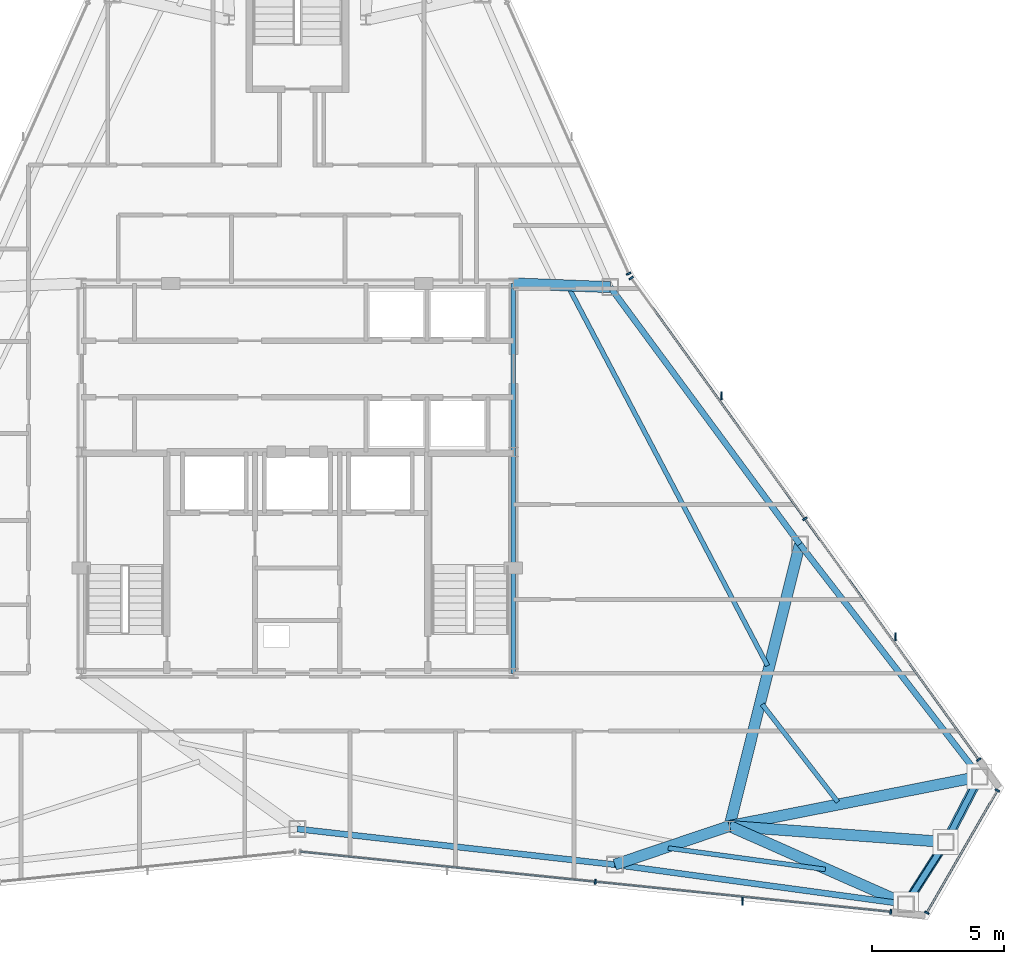
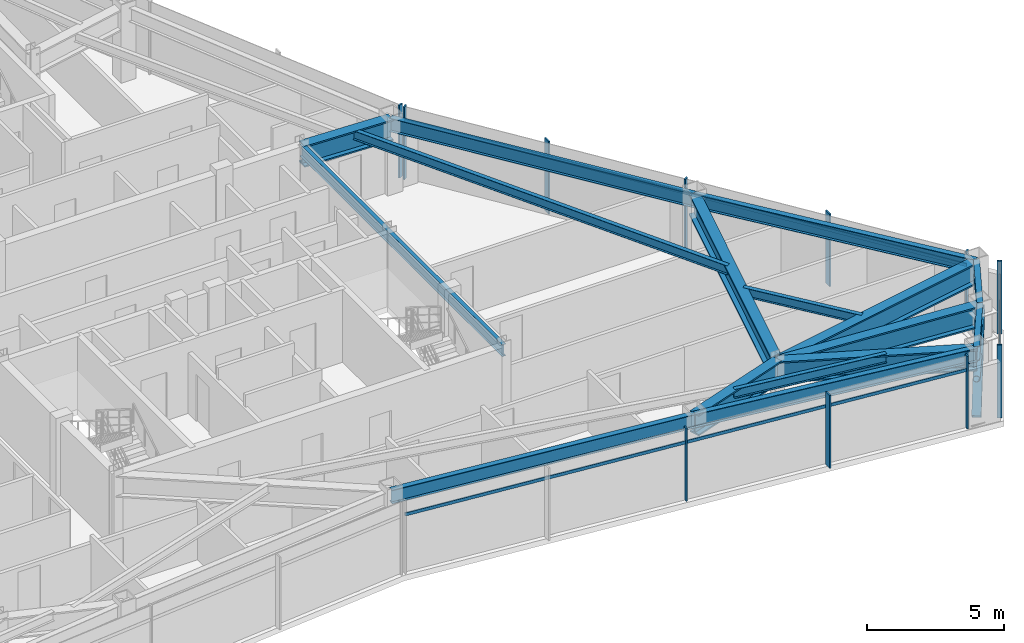
# One storey, part 6 of 12: 17 members, 16 beams, 4 elements without a shape of their own.
"""IFC4 building model written with IfcOpenShell, lengths in metres."""

from ifc_helpers import new_model, si_unit, direction, frame, origin, origin_2d, place, context, subcontext, project, spatial, rectangle, hollow_rectangle, hollow_circle, i_section, extrude, source, transform, mapped, material, layer, layer_set, material_profile, profile_set, type_object, type_shapes, element, aggregate, save


model = new_model("IFC4")

# Units and contexts
model_context = context("Model", 3, precision=1e-05, world=origin(), true_north=direction((0.0, 1.0)))
body_context = subcontext(model_context, "Body", "Model", "MODEL_VIEW")
ifc_project = project(units=[si_unit("LENGTHUNIT", "METRE"), si_unit("AREAUNIT", "SQUARE_METRE"), si_unit("VOLUMEUNIT", "CUBIC_METRE"), si_unit("PLANEANGLEUNIT", "RADIAN"), si_unit("MASSUNIT", "GRAM", prefix="KILO")], contexts=[model_context])

# Site, building, storey
site_placement = place(None, origin())
site = spatial("IfcSite", under=ifc_project, at=site_placement, CompositionType="ELEMENT")
building_placement = place(site_placement, origin())
building = spatial("IfcBuilding", under=site, at=building_placement, Name="Varakhsha Concourse Tower", CompositionType="ELEMENT")
storey_placement = place(building_placement, frame((0.0, 0.0, 255.0)))
storey = spatial("IfcBuildingStorey", under=building, at=storey_placement, Name="L72", CompositionType="ELEMENT", Elevation=255.0)

# Beams
ifc_material_1 = material(Name="Structural Steel ASTM A992 Grade 50", Category="steel")
ifc_material_profile_1 = material_profile(ifc_material_1, i_section(OverallWidth=0.177978515625, OverallDepth=0.406982421875, WebThickness=0.008056640625, FlangeThickness=0.012939453125, at=origin_2d()), Name="W16X40")
ifc_profile_set_1 = profile_set([ifc_material_profile_1], Name="Structural Steel ASTM A992 Grade 50")
beam_type_1 = type_object("IfcBeamType", Name="BM-JST-W16X40", PredefinedType="JOIST", material=ifc_profile_set_1)
beam_1_placement = place(storey_placement, frame((54.072998046875, 9.76416015625, 3.04638671875), z_axis=(0.990864658208, -0.134860035274, 0.0), x_axis=(0.134860035274, 0.990864658208, 0.0)))
element("IfcBeam", 1, at=beam_1_placement, inside=storey, type_object=beam_type_1, Name="BM-TJST-L72-12", PredefinedType="JOIST", context=body_context, shape_type="SweptSolid", body=[
    extrude(i_section(OverallWidth=0.177978515625, OverallDepth=0.406982421875, WebThickness=0.008056640625, FlangeThickness=0.012939453125, at=origin_2d()), origin(), (0.0, 0.0, 1.0), 6.024658203125),
])
beam_2_placement = place(storey_placement, frame((60.5126953125, 11.51416015625, 3.04638671875), z_axis=(-0.612247787834, 0.79066595114, 0.0), x_axis=(-0.79066595114, -0.612247787834, 0.0)))
element("IfcBeam", 2, at=beam_2_placement, inside=storey, type_object=beam_type_1, Name="BM-TJST-L72-15", PredefinedType="JOIST", context=body_context, shape_type="SweptSolid", body=[
    extrude(i_section(OverallWidth=0.177978515625, OverallDepth=0.406982421875, WebThickness=0.008056640625, FlangeThickness=0.012939453125, at=origin_2d()), origin(), (0.0, 0.0, 1.0), 4.6865234375),
])
beam_3_placement = place(storey_placement, frame((57.845703125, 16.687744140625, 3.04638671875), z_axis=(-0.465391617433, 0.88510487651, 0.0), x_axis=(-0.88510487651, -0.465391617433, 0.0)))
element("IfcBeam", 3, at=beam_3_placement, inside=storey, type_object=beam_type_1, Name="BM-TJST-L72-16", PredefinedType="JOIST", context=body_context, shape_type="SweptSolid", body=[
    extrude(i_section(OverallWidth=0.177978515625, OverallDepth=0.406982421875, WebThickness=0.008056640625, FlangeThickness=0.012939453125, at=origin_2d()), origin(), (0.0, 0.0, 1.0), 16.194580078125),
])
ifc_material_profile_2 = material_profile(ifc_material_1, i_section(OverallWidth=0.423095703125, OverallDepth=0.947998046875, WebThickness=0.0380859375, FlangeThickness=0.06396484375, at=origin_2d()), Name="W36X302")
ifc_profile_set_2 = profile_set([ifc_material_profile_2], Name="Structural Steel ASTM A992 Grade 50")
beam_type_2 = type_object("IfcBeamType", Name="BM-OUTR-W36X302", PredefinedType="USERDEFINED", material=ifc_profile_set_2)
beam_4_placement = place(storey_placement, frame((56.39990234375, 10.60009765625, 2.77587890625), z_axis=(-0.947603418082, -0.319449154075, 0.0), x_axis=(0.319449154075, -0.947603418082, 0.0)))
element("IfcBeam", 4, at=beam_4_placement, inside=storey, type_object=beam_type_2, Name="L72 Radial Floor Girder 12", ObjectType="GIRDER", PredefinedType="USERDEFINED", context=body_context, shape_type="SweptSolid", body=[
    extrude(i_section(OverallWidth=0.423095703125, OverallDepth=0.947998046875, WebThickness=0.0380859375, FlangeThickness=0.06396484375, at=origin_2d()), origin(), (0.0, 0.0, 1.0), 4.590087890625),
])
beam_5_placement = place(storey_placement, frame((56.39990234375, 10.60009765625, 2.77587890625), z_axis=(0.914187563748, -0.405291374556, 0.0), x_axis=(0.405291374556, 0.914187563748, 0.0)))
element("IfcBeam", 5, at=beam_5_placement, inside=storey, type_object=beam_type_2, Name="L72 Radial Floor Girder 13", ObjectType="GIRDER", PredefinedType="USERDEFINED", context=body_context, shape_type="SweptSolid", body=[
    extrude(i_section(OverallWidth=0.423095703125, OverallDepth=0.947998046875, WebThickness=0.0380859375, FlangeThickness=0.06396484375, at=origin_2d()), origin(), (0.0, 0.0, 1.0), 7.32861328125),
])
beam_6_placement = place(storey_placement, frame((56.39990234375, 10.60009765625, 2.77587890625), z_axis=(0.997263302263, -0.073931765569, 0.0), x_axis=(0.073931765569, 0.997263302263, 0.0)))
element("IfcBeam", 6, at=beam_6_placement, inside=storey, type_object=beam_type_2, Name="L72 Radial Floor Girder 14", ObjectType="GIRDER", PredefinedType="USERDEFINED", context=body_context, shape_type="SweptSolid", body=[
    extrude(i_section(OverallWidth=0.423095703125, OverallDepth=0.947998046875, WebThickness=0.0380859375, FlangeThickness=0.06396484375, at=origin_2d()), origin(), (0.0, 0.0, 1.0), 8.232421875),
])
beam_7_placement = place(storey_placement, frame((56.39990234375, 10.60009765625, 2.77587890625), z_axis=(0.980978125566, 0.194118307125, 0.0), x_axis=(-0.194118307125, 0.980978125566, 0.0)))
element("IfcBeam", 7, at=beam_7_placement, inside=storey, type_object=beam_type_2, Name="L72 Radial Floor Girder 15", ObjectType="GIRDER", PredefinedType="USERDEFINED", context=body_context, shape_type="SweptSolid", body=[
    extrude(i_section(OverallWidth=0.423095703125, OverallDepth=0.947998046875, WebThickness=0.0380859375, FlangeThickness=0.06396484375, at=origin_2d()), origin(), (0.0, 0.0, 1.0), 9.684326171875),
])
beam_8_placement = place(storey_placement, frame((56.39990234375, 10.60009765625, 2.77587890625), z_axis=(0.242410585861, 0.970173751378, 0.0), x_axis=(-0.970173751378, 0.242410585861, 0.0)))
element("IfcBeam", 8, at=beam_8_placement, inside=storey, type_object=beam_type_2, Name="L72 Radial Floor Girder 16", ObjectType="GIRDER", PredefinedType="USERDEFINED", context=body_context, shape_type="SweptSolid", body=[
    extrude(i_section(OverallWidth=0.423095703125, OverallDepth=0.947998046875, WebThickness=0.0380859375, FlangeThickness=0.06396484375, at=origin_2d()), origin(), (0.0, 0.0, 1.0), 11.026123046875),
])
beam_9_placement = place(storey_placement, frame((48.199951171875, 31.199951171875, 2.77587890625), z_axis=(0.999229859365, -0.039238860258, 0.0), x_axis=(0.039238860258, 0.999229859365, 0.0)))
element("IfcBeam", 9, at=beam_9_placement, inside=storey, type_object=beam_type_2, Name="L72 Radial Floor Girder 17", ObjectType="GIRDER", PredefinedType="USERDEFINED", context=body_context, shape_type="SweptSolid", body=[
    extrude(i_section(OverallWidth=0.423095703125, OverallDepth=0.947998046875, WebThickness=0.0380859375, FlangeThickness=0.06396484375, at=origin_2d()), origin(), (0.0, 0.0, 1.0), 3.67724609375),
])
ifc_material_profile_3 = material_profile(ifc_material_1, i_section(OverallWidth=0.1669921875, OverallDepth=0.534912109375, WebThickness=0.010009765625, FlangeThickness=0.01708984375, at=origin_2d()), Name="W21X57")
ifc_profile_set_3 = profile_set([ifc_material_profile_3], Name="Structural Steel ASTM A992 Grade 50")
beam_type_3 = type_object("IfcBeamType", Name="BM-RAD-W21X57", PredefinedType="BEAM", material=ifc_profile_set_3)
beam_10_placement = place(storey_placement, frame((48.199951171875, 16.39990234375, 2.982421875), z_axis=(0.0, 1.0, 0.0), x_axis=(-1.0, 0.0, 0.0)))
element("IfcBeam", 10, at=beam_10_placement, inside=storey, type_object=beam_type_3, Name="BM-TCORE-L72-CE", PredefinedType="BEAM", context=body_context, shape_type="SweptSolid", body=[
    extrude(i_section(OverallWidth=0.1669921875, OverallDepth=0.534912109375, WebThickness=0.010009765625, FlangeThickness=0.01708984375, at=origin_2d()), origin(), (0.0, 0.0, 1.0), 14.800048828125),
])
ifc_material_profile_4 = material_profile(ifc_material_1, i_section(OverallWidth=0.22900390625, OverallDepth=0.612060546875, WebThickness=0.011962890625, FlangeThickness=0.02001953125, at=origin_2d()), Name="W24X84")
ifc_profile_set_4 = profile_set([ifc_material_profile_4], Name="Structural Steel ASTM A992 Grade 50")
beam_type_4 = type_object("IfcBeamType", Name="BM-SPAN-W24X84", PredefinedType="SPANDREL", material=ifc_profile_set_4)
beam_11_placement = place(storey_placement, frame((40.0, 10.48876953125, 2.944091796875), z_axis=(0.993737521425, -0.11173960136, 0.0), x_axis=(0.11173960136, 0.993737521425, 0.0)))
element("IfcBeam", 11, at=beam_11_placement, inside=storey, type_object=beam_type_4, Name="BM-SPAN-L72-11", PredefinedType="SPANDREL", context=body_context, shape_type="SweptSolid", body=[
    extrude(i_section(OverallWidth=0.22900390625, OverallDepth=0.612060546875, WebThickness=0.011962890625, FlangeThickness=0.02001953125, at=origin_2d()), origin(), (0.0, 0.0, 1.0), 12.126220703125),
])
beam_12_placement = place(storey_placement, frame((52.05029296875, 9.1337890625, 2.944091796875), z_axis=(0.990863976686, -0.134865042565, 0.0), x_axis=(0.134865042565, 0.990863976686, 0.0)))
element("IfcBeam", 12, at=beam_12_placement, inside=storey, type_object=beam_type_4, Name="BM-SPAN-L72-12", PredefinedType="SPANDREL", context=body_context, shape_type="SweptSolid", body=[
    extrude(i_section(OverallWidth=0.22900390625, OverallDepth=0.612060546875, WebThickness=0.011962890625, FlangeThickness=0.02001953125, at=origin_2d()), origin(), (0.0, 0.0, 1.0), 11.151123046875),
])
beam_13_placement = place(storey_placement, frame((63.099609375, 7.6298828125, 2.944091796875), z_axis=(0.538762033455, 0.842457993794, 0.0), x_axis=(-0.842457993794, 0.538762033455, 0.0)))
element("IfcBeam", 13, at=beam_13_placement, inside=storey, type_object=beam_type_4, Name="BM-SPAN-L72-13", PredefinedType="SPANDREL", context=body_context, shape_type="SweptSolid", body=[
    extrude(i_section(OverallWidth=0.22900390625, OverallDepth=0.612060546875, WebThickness=0.011962890625, FlangeThickness=0.02001953125, at=origin_2d()), origin(), (0.0, 0.0, 1.0), 2.80322265625),
])
beam_14_placement = place(storey_placement, frame((64.60986328125, 9.991455078125, 2.944091796875), z_axis=(0.460230722474, 0.887799347877, 0.0), x_axis=(-0.887799347877, 0.460230722474, 0.0)))
element("IfcBeam", 14, at=beam_14_placement, inside=storey, type_object=beam_type_4, Name="BM-SPAN-L72-14", PredefinedType="SPANDREL", context=body_context, shape_type="SweptSolid", body=[
    extrude(i_section(OverallWidth=0.22900390625, OverallDepth=0.612060546875, WebThickness=0.011962890625, FlangeThickness=0.02001953125, at=origin_2d()), origin(), (0.0, 0.0, 1.0), 2.802978515625),
])
beam_15_placement = place(storey_placement, frame((65.89990234375, 12.47998046875, 2.944091796875), z_axis=(-0.612217348488, 0.790689520741, 0.0), x_axis=(-0.790689520741, -0.612217348488, 0.0)))
element("IfcBeam", 15, at=beam_15_placement, inside=storey, type_object=beam_type_4, Name="BM-SPAN-L72-15", PredefinedType="SPANDREL", context=body_context, shape_type="SweptSolid", body=[
    extrude(i_section(OverallWidth=0.22900390625, OverallDepth=0.612060546875, WebThickness=0.011962890625, FlangeThickness=0.02001953125, at=origin_2d()), origin(), (0.0, 0.0, 1.0), 11.151611328125),
])
beam_16_placement = place(storey_placement, frame((59.07275390625, 21.29736328125, 2.944091796875), z_axis=(-0.593635055484, 0.804734379097, 0.0), x_axis=(-0.804734379097, -0.593635055484, 0.0)))
element("IfcBeam", 16, at=beam_16_placement, inside=storey, type_object=beam_type_4, Name="BM-SPAN-L72-16", PredefinedType="SPANDREL", context=body_context, shape_type="SweptSolid", body=[
    extrude(i_section(OverallWidth=0.22900390625, OverallDepth=0.612060546875, WebThickness=0.011962890625, FlangeThickness=0.02001953125, at=origin_2d()), origin(), (0.0, 0.0, 1.0), 12.126220703125),
])

# Members
ifc_material_2 = material(Name="Structural Steel ASTM A500 Grade C", Category="steel")
ifc_material_profile_5 = material_profile(ifc_material_2, hollow_rectangle(XDim=0.35009765625, YDim=0.35009765625, WallThickness=0.01611328125, at=origin_2d()), Name="HSS 350x350x16")
ifc_profile_set_5 = profile_set([ifc_material_profile_5], Name="Structural Steel ASTM A500 Grade C")
member_type_1 = type_object("IfcMemberType", Name="MB-TUBE-HSS350", PredefinedType="BRACE", material=ifc_profile_set_5)
shared_shape_1 = source(origin(), body_context, "Body", "SweptSolid", [
    extrude(hollow_rectangle(XDim=0.35009765625, YDim=0.35009765625, WallThickness=0.01611328125, at=origin_2d()), origin(), (0.0, 0.0, 1.0), 3.983154296875),
])
type_shapes(member_type_1, [shared_shape_1])
for number, where, z_axis, x_axis, name in (
    (17, (63.099609375, 7.6298828125, 0.1201171875), (0.37915630707, 0.592883763061, 0.710443057752), (-0.842457993794, 0.538762033455, 0.0), "L72 Wind-Corner Tube Brace B05"),
    (18, (65.89990234375, 12.47998046875, 0.1201171875), (-0.323879843478, -0.624774270359, 0.710463903436), (0.887799347877, -0.460230722474, 0.0), "L72 Wind-Corner Tube Brace B06"),
):
    element("IfcMember", number, at=place(storey_placement, frame(where, z_axis=z_axis, x_axis=x_axis)), inside=storey, type_object=member_type_1, Name=name, PredefinedType="BRACE", context=body_context, shape_type="MappedRepresentation", body=[
        mapped(shared_shape_1, transform((0.0, 0.0, 0.0), scale=1.0)),
    ])
ifc_material_profile_6 = material_profile(ifc_material_2, hollow_circle(Radius=0.136474609375, WallThickness=0.011962890625, at=origin_2d()), Name="CHS 273x12")
ifc_profile_set_6 = profile_set([ifc_material_profile_6], Name="Structural Steel ASTM A500 Grade C")
member_type_2 = type_object("IfcMemberType", Name="MB-WIND-CHS273", PredefinedType="COLLAR", material=ifc_profile_set_6)
shared_shape_2 = source(origin(), body_context, "Body", "SweptSolid", [
    extrude(hollow_circle(Radius=0.136474609375, WallThickness=0.011962890625, at=origin_2d()), origin(), (0.0, 0.0, 1.0), 2.80322265625),
])
type_shapes(member_type_2, [shared_shape_2])
member_1_placement = place(storey_placement, frame((63.099609375, 7.6298828125, 1.800048828125), z_axis=(0.538762033455, 0.842457993794, 0.0), x_axis=(-0.842457993794, 0.538762033455, 0.0)))
element("IfcMember", 19, at=member_1_placement, inside=storey, type_object=member_type_2, Name="L72 Wind-Corner Collar Tie 3", PredefinedType="COLLAR", context=body_context, shape_type="MappedRepresentation", body=[
    mapped(shared_shape_2, transform((0.0, 0.0, 0.0), scale=1.0)),
])

# Curtain wall, members
ifc_material_3 = material(Name="Anodised Bronze Architectural Aluminium AA 6063-T6", Category="aluminium")
ifc_layer = layer(ifc_material_3, 0.199951171875, Name="CW-SYS-05")
ifc_layer_set = layer_set([ifc_layer], Name="Anodised Bronze Architectural Aluminium AA 6063-T6")
curtain_wall_type = type_object("IfcCurtainWallType", Name="CW-SYS-05", PredefinedType="NOTDEFINED", material=ifc_layer_set)
curtain_wall_1_placement = place(storey_placement, origin())
curtain_wall_1 = element("IfcCurtainWall", 20, at=curtain_wall_1_placement, inside=storey, type_object=curtain_wall_type, Name="L72 Crystal Curtain Wall F6", PredefinedType="NOTDEFINED")
ifc_material_profile_7 = material_profile(ifc_material_3, rectangle(XDim=0.06494140625, YDim=0.179931640625, at=origin_2d()), Name="CWM-180X65")
ifc_profile_set_7 = profile_set([ifc_material_profile_7], Name="Anodised Bronze Architectural Aluminium AA 6063-T6")
member_type_3 = type_object("IfcMemberType", Name="CWM-180X65", PredefinedType="MULLION", material=ifc_profile_set_7)
shared_shape_3 = source(origin(), body_context, "Body", "SweptSolid", [
    extrude(rectangle(XDim=0.06494140625, YDim=0.179931640625, at=origin_2d()), origin(), (0.0, 0.0, 1.0), 3.25),
])
type_shapes(member_type_3, [shared_shape_3])
member_2_placement = place(storey_placement, frame((62.525390625, 7.343017578125, 0.0), z_axis=(0.0, 0.0, 1.0), x_axis=(-0.994852272933, 0.101335852689, 0.0)))
member_2 = element("IfcMember", 21, at=member_2_placement, type_object=member_type_3, Name="CW-L72-F6 Mullion 00", PredefinedType="MULLION", context=body_context, shape_type="MappedRepresentation", body=[
    mapped(shared_shape_3, transform((0.0, 0.0, 0.0), scale=1.0)),
])
member_3_placement = place(storey_placement, frame((51.310546875, 8.485595703125, 0.0), z_axis=(0.0, 0.0, 1.0), x_axis=(-0.994852272933, 0.101335852689, 0.0)))
member_3 = element("IfcMember", 22, at=member_3_placement, type_object=member_type_3, Name="CW-L72-F6 Mullion 01", PredefinedType="MULLION", context=body_context, shape_type="MappedRepresentation", body=[
    mapped(shared_shape_3, transform((0.0, 0.0, 0.0), scale=1.0)),
])

curtain_wall_2_placement = place(storey_placement, origin())
curtain_wall_2 = element("IfcCurtainWall", 23, at=curtain_wall_2_placement, inside=storey, type_object=curtain_wall_type, Name="L72 Chamfer Curtain Wall F7", PredefinedType="NOTDEFINED")
member_4_placement = place(storey_placement, frame((66.573486328125, 11.952392578125, 0.0), z_axis=(0.0, 0.0, 1.0), x_axis=(-0.5, -0.866025403784, 0.0)))
member_4 = element("IfcMember", 24, at=member_4_placement, type_object=member_type_3, Name="CW-L72-F7 Mullion 00", PredefinedType="MULLION", context=body_context, shape_type="MappedRepresentation", body=[
    mapped(shared_shape_3, transform((0.0, 0.0, 0.0), scale=1.0)),
])
member_5_placement = place(storey_placement, frame((63.893310546875, 7.310546875, 0.0), z_axis=(0.0, 0.0, 1.0), x_axis=(-0.5, -0.866025403784, 0.0)))
member_5 = element("IfcMember", 25, at=member_5_placement, type_object=member_type_3, Name="CW-L72-F7 Mullion 01", PredefinedType="MULLION", context=body_context, shape_type="MappedRepresentation", body=[
    mapped(shared_shape_3, transform((0.0, 0.0, 0.0), scale=1.0)),
])

curtain_wall_3_placement = place(storey_placement, origin())
curtain_wall_3 = element("IfcCurtainWall", 26, at=curtain_wall_3_placement, inside=storey, type_object=curtain_wall_type, Name="L72 Crystal Curtain Wall F8", PredefinedType="NOTDEFINED")
member_6_placement = place(storey_placement, frame((52.667724609375, 31.403076171875, 0.0), z_axis=(0.0, 0.0, 1.0), x_axis=(0.585188389778, -0.81089737234, 0.0)))
member_6 = element("IfcMember", 27, at=member_6_placement, type_object=member_type_3, Name="CW-L72-F8 Mullion 00", PredefinedType="MULLION", context=body_context, shape_type="MappedRepresentation", body=[
    mapped(shared_shape_3, transform((0.0, 0.0, 0.0), scale=1.0)),
])
member_7_placement = place(storey_placement, frame((59.2646484375, 22.261962890625, 0.0), z_axis=(0.0, 0.0, 1.0), x_axis=(0.585188389778, -0.81089737234, 0.0)))
member_7 = element("IfcMember", 28, at=member_7_placement, type_object=member_type_3, Name="CW-L72-F8 Mullion 01", PredefinedType="MULLION", context=body_context, shape_type="MappedRepresentation", body=[
    mapped(shared_shape_3, transform((0.0, 0.0, 0.0), scale=1.0)),
])
member_8_placement = place(storey_placement, frame((65.861328125, 13.120849609375, 0.0), z_axis=(0.0, 0.0, 1.0), x_axis=(0.585188389778, -0.81089737234, 0.0)))
member_8 = element("IfcMember", 29, at=member_8_placement, type_object=member_type_3, Name="CW-L72-F8 Mullion 02", PredefinedType="MULLION", context=body_context, shape_type="MappedRepresentation", body=[
    mapped(shared_shape_3, transform((0.0, 0.0, 0.0), scale=1.0)),
])

# Curtain wall, member
curtain_wall_4_placement = place(storey_placement, origin())
curtain_wall_4 = element("IfcCurtainWall", 30, at=curtain_wall_4_placement, inside=storey, type_object=curtain_wall_type, Name="L72 Crystal Curtain Wall F9", PredefinedType="NOTDEFINED")
member_9_placement = place(storey_placement, frame((52.572021484375, 31.569091796875, 0.0), z_axis=(0.0, 0.0, 1.0), x_axis=(0.409661937266, -0.912237412714, 0.0)))
member_9 = element("IfcMember", 31, at=member_9_placement, type_object=member_type_3, Name="CW-L72-F9 Mullion 02", PredefinedType="MULLION", context=body_context, shape_type="MappedRepresentation", body=[
    mapped(shared_shape_3, transform((0.0, 0.0, 0.0), scale=1.0)),
])
aggregate(curtain_wall_4, [member_9])

# Member
ifc_material_profile_8 = material_profile(ifc_material_3, rectangle(XDim=0.054931640625, YDim=0.300048828125, at=origin_2d()), Name="FIN-BRZ-300")
ifc_profile_set_8 = profile_set([ifc_material_profile_8], Name="Anodised Bronze Architectural Aluminium AA 6063-T6")
member_type_4 = type_object("IfcMemberType", Name="FIN-BRZ-300", PredefinedType="USERDEFINED", material=ifc_profile_set_8)
shared_shape_4 = source(origin(), body_context, "Body", "SweptSolid", [
    extrude(rectangle(XDim=0.054931640625, YDim=0.300048828125, at=origin_2d()), origin(), (0.0, 0.0, 1.0), 3.25),
])
type_shapes(member_type_4, [shared_shape_4])
member_10_placement = place(storey_placement, frame((56.9013671875, 7.75, 0.0), z_axis=(0.0, 0.0, 1.0), x_axis=(1.0, 0.0, 0.0)))
member_10 = element("IfcMember", 32, at=member_10_placement, type_object=member_type_4, Name="L72 Anodised Bronze Solar Fin F6-1", ObjectType="SOLAR FIN", PredefinedType="USERDEFINED", context=body_context, shape_type="MappedRepresentation", body=[
    mapped(shared_shape_4, transform((0.0, 0.0, 0.0), scale=1.0)),
])

member_11_placement = place(storey_placement, frame((56.10009765625, 26.92919921875, 0.0), z_axis=(0.0, 0.0, 1.0), x_axis=(1.0, 0.0, 0.0)))
member_11 = element("IfcMember", 33, at=member_11_placement, type_object=member_type_4, Name="L72 Anodised Bronze Solar Fin F8-1", ObjectType="SOLAR FIN", PredefinedType="USERDEFINED", context=body_context, shape_type="MappedRepresentation", body=[
    mapped(shared_shape_4, transform((0.0, 0.0, 0.0), scale=1.0)),
])

member_12_placement = place(storey_placement, frame((62.69677734375, 17.787841796875, 0.0), z_axis=(0.0, 0.0, 1.0), x_axis=(1.0, 0.0, 0.0)))
member_12 = element("IfcMember", 34, at=member_12_placement, type_object=member_type_4, Name="L72 Anodised Bronze Solar Fin F8-2", ObjectType="SOLAR FIN", PredefinedType="USERDEFINED", context=body_context, shape_type="MappedRepresentation", body=[
    mapped(shared_shape_4, transform((0.0, 0.0, 0.0), scale=1.0)),
])

ifc_material_profile_9 = material_profile(ifc_material_3, rectangle(XDim=0.06005859375, YDim=0.139892578125, at=origin_2d()), Name="CWT-140X60")
ifc_profile_set_9 = profile_set([ifc_material_profile_9], Name="Anodised Bronze Architectural Aluminium AA 6063-T6")
member_type_5 = type_object("IfcMemberType", Name="CWT-140X60", PredefinedType="USERDEFINED", material=ifc_profile_set_9)
shared_shape_5 = source(origin(), body_context, "Body", "SweptSolid", [
    extrude(rectangle(XDim=0.06005859375, YDim=0.139892578125, at=origin_2d()), origin(), (0.0, 0.0, 1.0), 5.360107421875),
])
member_13_placement = place(storey_placement, frame((66.573486328125, 11.952392578125, 2.60009765625), z_axis=(-0.500028672299, -0.866008849192, 0.0), x_axis=(0.866008849192, -0.500028672299, 0.0)))
member_13 = element("IfcMember", 35, at=member_13_placement, type_object=member_type_5, Name="CW-L72-F7 Transom 01", ObjectType="TRANSOM", PredefinedType="USERDEFINED", context=body_context, shape_type="MappedRepresentation", body=[
    mapped(shared_shape_5, transform((0.0, 0.0, 0.0), scale=1.0)),
])

aggregate(curtain_wall_2, [member_4, member_5, member_13])

shared_shape_6 = source(origin(), body_context, "Body", "SweptSolid", [
    extrude(rectangle(XDim=0.06005859375, YDim=0.139892578125, at=origin_2d()), origin(), (0.0, 0.0, 1.0), 22.545654296875),
])
type_shapes(member_type_5, [shared_shape_5, shared_shape_6])
member_14_placement = place(storey_placement, frame((62.525390625, 7.343017578125, 2.60009765625), z_axis=(-0.994852382543, 0.1013347766, 0.0), x_axis=(-0.1013347766, -0.994852382543, 0.0)))
member_14 = element("IfcMember", 36, at=member_14_placement, type_object=member_type_5, Name="CW-L72-F6 Transom 01", ObjectType="TRANSOM", PredefinedType="USERDEFINED", context=body_context, shape_type="MappedRepresentation", body=[
    mapped(shared_shape_6, transform((0.0, 0.0, 0.0), scale=1.0)),
])

aggregate(curtain_wall_1, [member_2, member_3, member_14, member_10])

member_15_placement = place(storey_placement, frame((52.667724609375, 31.403076171875, 2.60009765625), z_axis=(0.585192407215, -0.810894473121, 0.0), x_axis=(0.810894473121, 0.585192407215, 0.0)))
member_15 = element("IfcMember", 37, at=member_15_placement, type_object=member_type_5, Name="CW-L72-F8 Transom 01", ObjectType="TRANSOM", PredefinedType="USERDEFINED", context=body_context, shape_type="MappedRepresentation", body=[
    mapped(shared_shape_6, transform((0.0, 0.0, 0.0), scale=1.0)),
])

aggregate(curtain_wall_3, [member_6, member_7, member_8, member_15, member_11, member_12])

save(model, "model.ifc")
